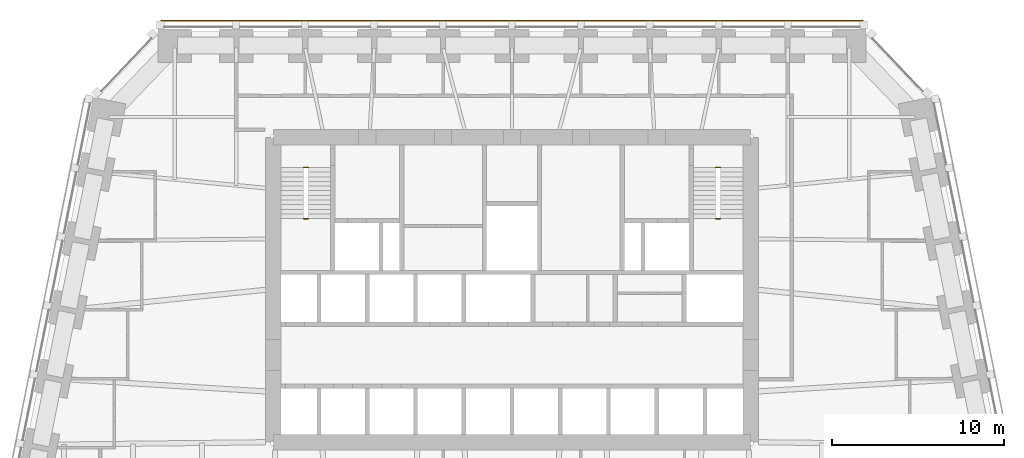
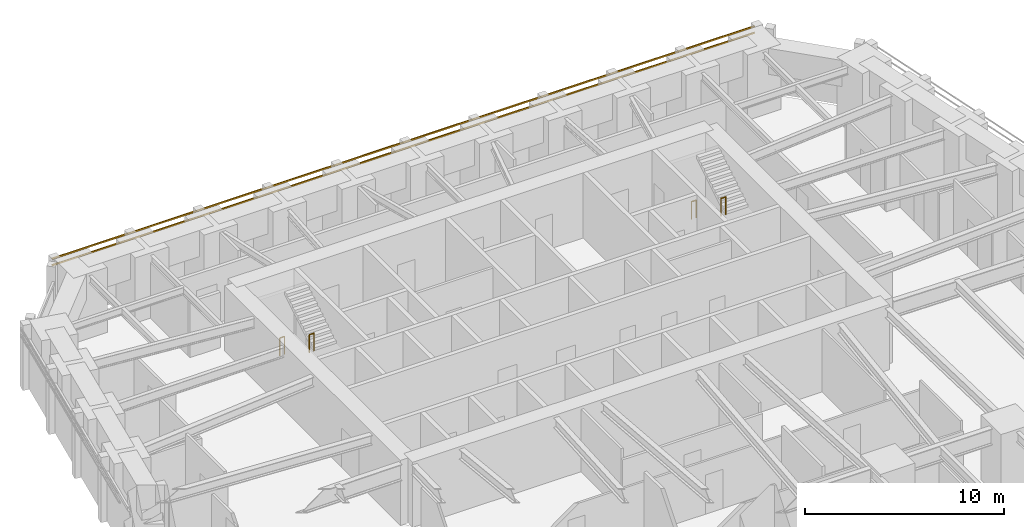
# One storey, part 10 of 10: 4 railings, 2 shading devices.
"""IFC4 building model written with IfcOpenShell, lengths in metres."""

from ifc_helpers import new_model, si_unit, direction, frame, origin, origin_2d, place, context, subcontext, project, spatial, rectangle, circle, extrude, material, material_profile, profile_set, type_object, element, save


model = new_model("IFC4")

# Units and contexts
model_context = context("Model", 3, precision=1e-05, world=origin(), true_north=direction((0.0, 1.0)))
body_context = subcontext(model_context, "Body", "Model", "MODEL_VIEW")
ifc_project = project(units=[si_unit("LENGTHUNIT", "METRE"), si_unit("AREAUNIT", "SQUARE_METRE"), si_unit("VOLUMEUNIT", "CUBIC_METRE"), si_unit("PLANEANGLEUNIT", "RADIAN"), si_unit("MASSUNIT", "GRAM", prefix="KILO")], contexts=[model_context])

# Site, building, storey
site_placement = place(None, origin())
site = spatial("IfcSite", under=ifc_project, at=site_placement, CompositionType="ELEMENT")
building_placement = place(site_placement, origin())
building = spatial("IfcBuilding", under=site, at=building_placement, Name="Isbrekke Arena Tower", CompositionType="ELEMENT")
storey_placement = place(building_placement, frame((0.0, 0.0, 84.0)))
storey = spatial("IfcBuildingStorey", under=building, at=storey_placement, Name="L18", CompositionType="ELEMENT", Elevation=84.0)

# Shading devices
ifc_material_1 = material(Name="Terracotta", Category="masonry")
ifc_material_profile = material_profile(ifc_material_1, rectangle(XDim=0.06005859375, YDim=0.06005859375, at=origin_2d()), Name="BAGUETTE 60X60")
ifc_profile_set = profile_set([ifc_material_profile], Name="Terracotta")
shading_device_type = type_object("IfcShadingDeviceType", Name="BG1 TERRACOTTA BAGUETTE 60 x 60", PredefinedType="USERDEFINED", material=ifc_profile_set)
for number, where, z_axis, x_axis, name in (
    (1, (20.39990234375, 30.6298828125, 3.280029296875), (-1.0, 0.0, 0.0), (0.0, -1.0, 0.0), "BG1 terracotta baguette N1 L18"),
    (2, (20.39990234375, 30.6298828125, 3.679931640625), (-1.0, 0.0, 0.0), (0.0, -1.0, 0.0), "BG1 terracotta baguette N2 L18"),
):
    element("IfcShadingDevice", number, at=place(storey_placement, frame(where, z_axis=z_axis, x_axis=x_axis)), inside=storey, type_object=shading_device_type, Name=name, ObjectType="TERRACOTTA BAGUETTE", PredefinedType="USERDEFINED", context=body_context, shape_type="SweptSolid", body=[
        extrude(rectangle(XDim=0.06005859375, YDim=0.06005859375, at=origin_2d()), origin(), (0.0, 0.0, 1.0), 40.7998046875),
    ])

# Railings
ifc_material_2 = material(Name="Steel stair guard, vertical bars, steel handrail", Category="steel")
railing_type = type_object("IfcRailingType", Name="GR3 STAIR WELL GUARD 1100", PredefinedType="GUARDRAIL", material=ifc_material_2)
for number, where, name in (
    (3, (-12.10009765625, 22.10009765625, 0.0), "GR3 stair well guard ST1 L18"),
    (4, (-12.10009765625, 19.1298828125, 2.0), "GR3 stair well guard ST1 L18"),
    (5, (11.824951171875, 22.10009765625, 0.0), "GR3 stair well guard ST2 L18"),
    (6, (11.824951171875, 19.1298828125, 2.0), "GR3 stair well guard ST2 L18"),
):
    element("IfcRailing", number, at=place(storey_placement, frame(where)), inside=storey, type_object=railing_type, Name=name, PredefinedType="GUARDRAIL", context=body_context, shape_type="SweptSolid", body=[
        extrude(circle(Radius=0.02392578125, at=origin_2d()), frame((0.0, 0.0, 1.076171875), z_axis=(1.0, 0.0, 0.0), x_axis=(0.0, 1.0, 0.0)), (0.0, 0.0, 1.0), 0.275146484375),
        extrude(circle(Radius=0.02099609375, at=origin_2d()), origin(), (0.0, 0.0, 1.0), 1.052001953125),
        extrude(circle(Radius=0.02099609375, at=origin_2d()), frame((0.275146484375, 0.0, 0.0)), (0.0, 0.0, 1.0), 1.052001953125),
    ])

save(model, "model.ifc")
